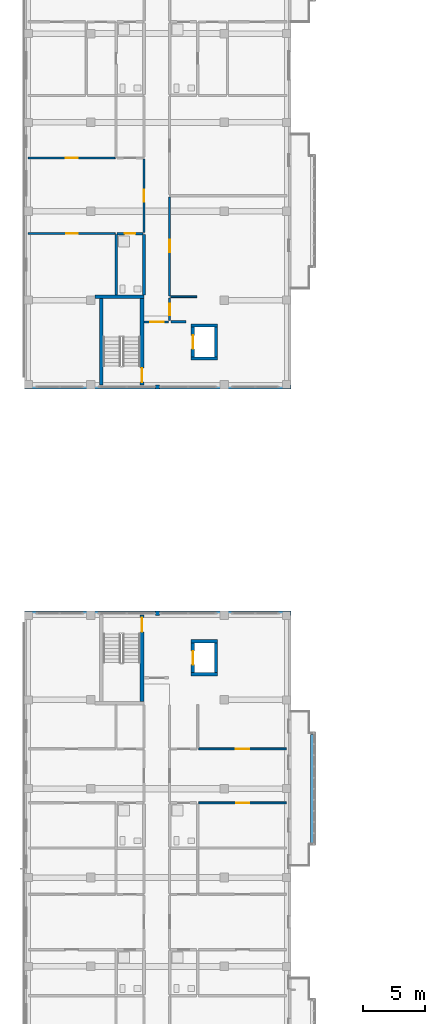
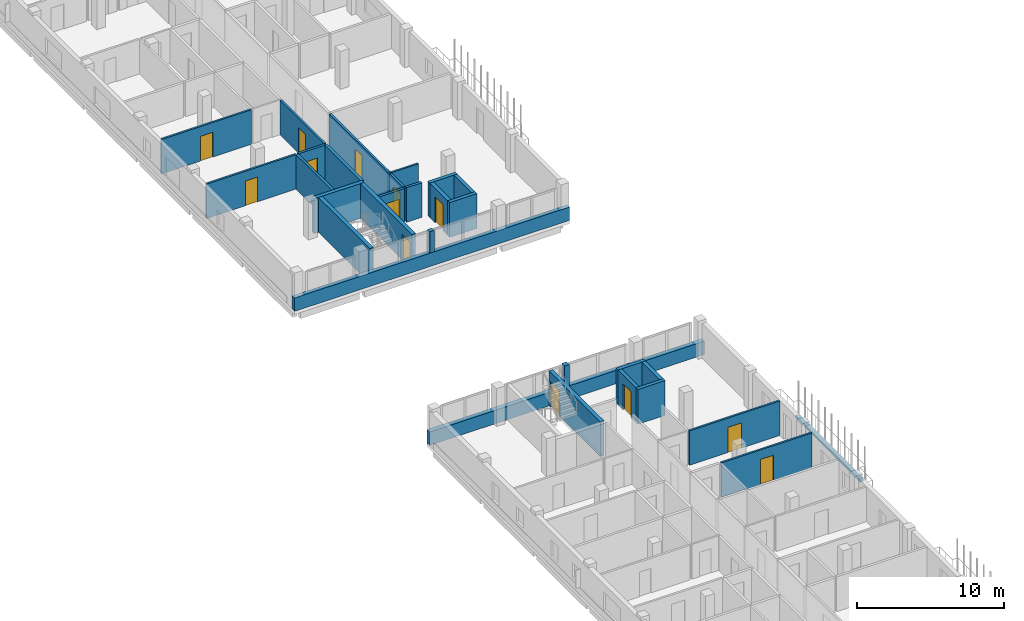
# One storey, part 27 of 51: 30 walls, 13 doors, 13 openings.
"""IFC4 building model written with IfcOpenShell, lengths in metres."""

from ifc_helpers import new_model, si_unit, derived_unit, direction, frame, frame_2d, origin, place, context, subcontext, project, spatial, rectangle, extrude, material, layer, layer_set, type_object, element, fill, save


model = new_model("IFC4")

# Units and contexts
model_context = context("Model", 3, precision=1e-05, world=origin(), true_north=direction((0.0, 1.0)))
body_context = subcontext(model_context, "Body", "Model", "MODEL_VIEW")
ifc_project = project(units=[si_unit("LENGTHUNIT", "METRE"), si_unit("AREAUNIT", "SQUARE_METRE"), si_unit("VOLUMEUNIT", "CUBIC_METRE"), si_unit("PLANEANGLEUNIT", "RADIAN"), si_unit("MASSUNIT", "GRAM", prefix="KILO"), derived_unit("THERMALTRANSMITTANCEUNIT", [(si_unit("MASSUNIT", "GRAM", prefix="KILO"), 1), (si_unit("TIMEUNIT", "SECOND"), -3), (si_unit("THERMODYNAMICTEMPERATUREUNIT", "KELVIN"), -1)])], contexts=[model_context])

# Site, building, storey
site_placement = place(None, origin())
site = spatial("IfcSite", under=ifc_project, at=site_placement, CompositionType="ELEMENT")
building_placement = place(site_placement, origin())
building = spatial("IfcBuilding", under=site, at=building_placement, Name="Ochrekiln Boulevard Commons", CompositionType="ELEMENT")
storey_placement = place(building_placement, frame((0.0, 0.0, 18.375)))
storey = spatial("IfcBuildingStorey", under=building, at=storey_placement, Name="L05", CompositionType="ELEMENT", Elevation=18.375)

# Walls
ifc_material_1 = material(Name="Iron-spot brown clinker brick masonry ASTM C216 Grade SW", Category="masonry")
ifc_layer_1 = layer(ifc_material_1, 0.364990234375)
ifc_layer_set_1 = layer_set([ifc_layer_1], Name="Iron-spot brown clinker brick masonry ASTM C216 Grade SW")
wall_type_1 = type_object("IfcWallType", Name="WL-EXT-IRON-365", PredefinedType="SOLIDWALL", material=ifc_layer_set_1)
wall_1_placement = place(storey_placement, frame((0.0, 50.217529296875, 0.0), z_axis=(0.0, 0.0, 1.0), x_axis=(1.0, 0.0, 0.0)))
element("IfcWall", 1, at=wall_1_placement, inside=storey, type_object=wall_type_1, Name="Block D L05 Courtyard Gable Sill Wall", PredefinedType="SOLIDWALL", context=body_context, shape_type="SweptSolid", body=[
    extrude(rectangle(XDim=21.60009765625, YDim=0.364990234375, at=frame_2d((10.800048828125, 0.0))), origin(), (0.0, 0.0, 1.0), 1.110107421875),
])
wall_2_placement = place(storey_placement, frame((10.6201171875, 50.217529296875, 1.110107421875), z_axis=(0.0, 0.0, 1.0), x_axis=(1.0, 0.0, 0.0)))
element("IfcWall", 2, at=wall_2_placement, inside=storey, type_object=wall_type_1, Name="Block D L05 Courtyard Gable Mullion Pier", PredefinedType="SOLIDWALL", context=body_context, shape_type="SweptSolid", body=[
    extrude(rectangle(XDim=0.35986328125, YDim=0.364990234375, at=frame_2d((0.179931640625, 0.0))), origin(), (0.0, 0.0, 1.0), 1.77978515625),
])
ifc_material_2 = material(Name="Desert ochre clinker brick masonry ASTM C216 Grade SW", Category="masonry")
ifc_layer_2 = layer(ifc_material_2, 0.320068359375)
ifc_layer_set_2 = layer_set([ifc_layer_2], Name="Desert ochre clinker brick masonry ASTM C216 Grade SW")
wall_type_2 = type_object("IfcWallType", Name="WL-EXT-OCHRE-320", PredefinedType="SOLIDWALL", material=ifc_layer_set_2)
wall_3_placement = place(storey_placement, frame((0.0, 68.56005859375, 0.0), z_axis=(0.0, 0.0, 1.0), x_axis=(1.0, 0.0, 0.0)))
element("IfcWall", 3, at=wall_3_placement, inside=storey, type_object=wall_type_2, Name="Block A L05 Courtyard Gable Sill Wall", PredefinedType="SOLIDWALL", context=body_context, shape_type="SweptSolid", body=[
    extrude(rectangle(XDim=21.60009765625, YDim=0.320068359375, at=frame_2d((10.800048828125, 0.0))), origin(), (0.0, 0.0, 1.0), 1.110107421875),
])
wall_4_placement = place(storey_placement, frame((10.6201171875, 68.56005859375, 1.110107421875), z_axis=(0.0, 0.0, 1.0), x_axis=(1.0, 0.0, 0.0)))
element("IfcWall", 4, at=wall_4_placement, inside=storey, type_object=wall_type_2, Name="Block A L05 Courtyard Gable Mullion Pier", PredefinedType="SOLIDWALL", context=body_context, shape_type="SweptSolid", body=[
    extrude(rectangle(XDim=0.35986328125, YDim=0.320068359375, at=frame_2d((0.179931640625, 0.0))), origin(), (0.0, 0.0, 1.0), 1.77978515625),
])

# Wall, opening, door
ifc_material_3 = material(Name="Moisture-resistant cementitious tile backer wall")
ifc_layer_3 = layer(ifc_material_3, 0.199951171875)
ifc_layer_set_3 = layer_set([ifc_layer_3], Name="Moisture-resistant cementitious tile backer wall")
wall_type_3 = type_object("IfcWallType", Name="WL-PLM-200", PredefinedType="PLUMBINGWALL", material=ifc_layer_set_3)
wall_5_placement = place(storey_placement, frame((7.52001953125, 80.991943359375, 0.0), z_axis=(0.0, 0.0, 1.0), x_axis=(1.0, 0.0, 0.0)))
wall_5 = element("IfcWall", 5, at=wall_5_placement, inside=storey, type_object=wall_type_3, Name="L05 Interior Wall W-PW200", PredefinedType="PLUMBINGWALL", context=body_context, shape_type="SweptSolid", body=[
    extrude(rectangle(XDim=2.10791015625, YDim=0.199951171875, at=frame_2d((1.053955078125, 0.0))), origin(), (0.0, 0.0, 1.0), 2.8701171875),
])
opening_1_placement = place(wall_5_placement, frame((0.6201171875, 0.0, 0.0)))
opening_1 = element("IfcOpeningElement", 6, at=opening_1_placement, cuts=wall_5, Name="Opening D-L05-685", PredefinedType="OPENING", context=body_context, shape_type="SweptSolid", body=[
    extrude(rectangle(XDim=0.860107421875, YDim=2.0, at=frame_2d((0.43017578125, 1.0))), frame((0.0, 0.10986328125, 0.0), z_axis=(0.0, -1.0, 0.0), x_axis=(1.0, 0.0, 0.0)), (0.0, 0.0, 1.0), 0.219970703125),
])
ifc_material_4 = material(Name="Solid core architectural oak door leaf")
door_type_1 = type_object("IfcDoorType", Name="DR-INT-BTH-086", OperationType="NOTDEFINED", PredefinedType="DOOR", material=ifc_material_4)
door_1_placement = place(opening_1_placement, frame((0.860107421875, 0.0, 0.0), z_axis=(0.0, 0.0, 1.0), x_axis=(-1.0, 0.0, 0.0)))
door_1 = element("IfcDoor", 7, at=door_1_placement, inside=storey, type_object=door_type_1, Name="L05 Interior Door to Accessible Apartment Bathroom", OperationType="SINGLE_SWING_LEFT", OverallHeight=2.0, OverallWidth=0.860107421875, PredefinedType="DOOR", context=body_context, shape_type="SweptSolid", body=[
    extrude(rectangle(XDim=0.860107421875, YDim=2.0, at=frame_2d((0.43017578125, 1.0))), frame((0.0, 0.02490234375, 0.0), z_axis=(0.0, -1.0, 0.0), x_axis=(1.0, 0.0, 0.0)), (0.0, 0.0, 1.0), 0.050048828125),
])
fill(opening_1, door_1)

# Walls
wall_6_placement = place(storey_placement, frame((7.43994140625, 76.0, 0.0), z_axis=(0.0, 0.0, 1.0), x_axis=(0.0, 1.0, 0.0)))
element("IfcWall", 8, at=wall_6_placement, inside=storey, type_object=wall_type_3, Name="L05 Interior Wall W-PW200", PredefinedType="PLUMBINGWALL", context=body_context, shape_type="SweptSolid", body=[
    extrude(rectangle(XDim=4.912109375, YDim=0.199951171875, at=frame_2d((2.4560546875, 0.0))), origin(), (0.0, 0.0, 1.0), 2.8701171875),
])
ifc_layer_4 = layer(ifc_material_3, 0.219970703125)
ifc_layer_set_4 = layer_set([ifc_layer_4], Name="Moisture-resistant cementitious tile backer wall")
wall_type_4 = type_object("IfcWallType", Name="WL-PLM-220", PredefinedType="PLUMBINGWALL", material=ifc_layer_set_4)
wall_7_placement = place(storey_placement, frame((9.7099609375, 76.0, 0.0), z_axis=(0.0, 0.0, 1.0), x_axis=(0.0, 1.0, 0.0)))
element("IfcWall", 9, at=wall_7_placement, inside=storey, type_object=wall_type_4, Name="L05 Interior Wall W-PW220", PredefinedType="PLUMBINGWALL", context=body_context, shape_type="SweptSolid", body=[
    extrude(rectangle(XDim=4.912109375, YDim=0.219970703125, at=frame_2d((2.4560546875, 0.0))), origin(), (0.0, 0.0, 1.0), 2.8701171875),
])
ifc_material_5 = material(Name="Glazed architectural terracotta ASTM C1405", Category="masonry")
ifc_layer_5 = layer(ifc_material_5, 0.25)
ifc_layer_set_5 = layer_set([ifc_layer_5], Name="Glazed architectural terracotta ASTM C1405")
wall_type_5 = type_object("IfcWallType", Name="WL-PLN-250", PredefinedType="PARAPET", material=ifc_layer_set_5)
wall_8_placement = place(storey_placement, frame((23.320068359375, 31.610107421875, 0.0), z_axis=(0.0, 0.0, 1.0), x_axis=(0.0, 1.0, 0.0)))
element("IfcWall", 10, at=wall_8_placement, inside=storey, type_object=wall_type_5, Name="Block D L05 Balcony Terracotta Planter Box 2", PredefinedType="PARAPET", context=body_context, shape_type="SweptSolid", body=[
    extrude(rectangle(XDim=8.77978515625, YDim=0.25, at=frame_2d((4.389892578125, 0.0))), origin(), (0.0, 0.0, 1.0), 0.22998046875),
])
ifc_material_6 = material(Name="Fire-rated Type X gypsum board on steel studs", Category="steel")
ifc_layer_6 = layer(ifc_material_6, 0.139892578125)
ifc_layer_set_6 = layer_set([ifc_layer_6], Name="Fire-rated Type X gypsum board on steel studs")
wall_type_6 = type_object("IfcWallType", Name="WL-PT-ACO-140", PredefinedType="PARTITIONING", material=ifc_layer_set_6)
wall_9_placement = place(storey_placement, frame((11.8720703125, 75.875, 0.0), z_axis=(0.0, 0.0, 1.0), x_axis=(1.0, 0.0, 0.0)))
element("IfcWall", 11, at=wall_9_placement, inside=storey, type_object=wall_type_6, Name="L05 Interior Wall W-PA140", PredefinedType="PARTITIONING", context=body_context, shape_type="SweptSolid", body=[
    extrude(rectangle(XDim=2.1279296875, YDim=0.139892578125, at=frame_2d((1.06396484375, 0.0))), origin(), (0.0, 0.0, 1.0), 2.8701171875),
])

# Wall, opening, door
ifc_layer_7 = layer(ifc_material_6, 0.1650390625)
ifc_layer_set_7 = layer_set([ifc_layer_7], Name="Fire-rated Type X gypsum board on steel studs")
wall_type_7 = type_object("IfcWallType", Name="WL-PT-CORR-165", PredefinedType="PARTITIONING", material=ifc_layer_set_7)
wall_10_placement = place(storey_placement, frame((11.7900390625, 73.929931640625, 0.0), z_axis=(0.0, 0.0, 1.0), x_axis=(0.0, 1.0, 0.0)))
wall_10 = element("IfcWall", 12, at=wall_10_placement, inside=storey, type_object=wall_type_7, Name="L05 Interior Wall W-PC165", PredefinedType="PARTITIONING", context=body_context, shape_type="SweptSolid", body=[
    extrude(rectangle(XDim=1.820068359375, YDim=0.1650390625, at=frame_2d((0.91015625, 0.0))), origin(), (0.0, 0.0, 1.0), 2.8701171875),
])
opening_2_placement = place(wall_10_placement, frame((0.4599609375, 0.0, 0.0)))
opening_2 = element("IfcOpeningElement", 13, at=opening_2_placement, cuts=wall_10, Name="Opening D-L05-679", PredefinedType="OPENING", context=body_context, shape_type="SweptSolid", body=[
    extrude(rectangle(XDim=0.919921875, YDim=2.0400390625, at=frame_2d((0.4599609375, 1.02001953125))), frame((0.0, 0.092529296875, 0.0), z_axis=(0.0, -1.0, 0.0), x_axis=(1.0, 0.0, 0.0)), (0.0, 0.0, 1.0), 0.18505859375),
])
ifc_material_7 = material(Name="Hollow metal fire-rated steel door assembly", Category="steel")
door_type_2 = type_object("IfcDoorType", Name="DR-SRV-90", OperationType="NOTDEFINED", PredefinedType="DOOR", material=ifc_material_7)
door_2_placement = place(opening_2_placement, frame((0.919921875, 0.0, 0.0), z_axis=(0.0, 0.0, 1.0), x_axis=(-1.0, 0.0, 0.0)))
door_2 = element("IfcDoor", 14, at=door_2_placement, inside=storey, type_object=door_type_2, Name="L05 Interior Door to Hydronic and Electrical Riser Room", OperationType="SINGLE_SWING_LEFT", OverallHeight=2.0400390625, OverallWidth=0.919921875, PredefinedType="DOOR", context=body_context, shape_type="SweptSolid", body=[
    extrude(rectangle(XDim=0.919921875, YDim=2.0400390625, at=frame_2d((0.4599609375, 1.02001953125))), frame((0.0, 0.02490234375, 0.0), z_axis=(0.0, -1.0, 0.0), x_axis=(1.0, 0.0, 0.0)), (0.0, 0.0, 1.0), 0.050048828125),
])
fill(opening_2, door_2)

wall_11_placement = place(storey_placement, frame((9.7099609375, 81.072021484375, 0.0), z_axis=(0.0, 0.0, 1.0), x_axis=(0.0, 1.0, 0.0)))
wall_11 = element("IfcWall", 15, at=wall_11_placement, inside=storey, type_object=wall_type_7, Name="L05 Interior Wall W-PC165", PredefinedType="PARTITIONING", context=body_context, shape_type="SweptSolid", body=[
    extrude(rectangle(XDim=5.9580078125, YDim=0.1650390625, at=frame_2d((2.97900390625, 0.0))), origin(), (0.0, 0.0, 1.0), 2.8701171875),
])
opening_3_placement = place(wall_11_placement, frame((2.489013671875, 0.0, 0.0)))
opening_3 = element("IfcOpeningElement", 16, at=opening_3_placement, cuts=wall_11, Name="Opening D-L05-680", PredefinedType="OPENING", context=body_context, shape_type="SweptSolid", body=[
    extrude(rectangle(XDim=0.97998046875, YDim=2.080078125, at=frame_2d((0.489990234375, 1.0400390625))), frame((0.0, 0.092529296875, 0.0), z_axis=(0.0, -1.0, 0.0), x_axis=(1.0, 0.0, 0.0)), (0.0, 0.0, 1.0), 0.18505859375),
])
door_type_3 = type_object("IfcDoorType", Name="DR-APT-60", OperationType="NOTDEFINED", PredefinedType="DOOR", material=ifc_material_4)
door_3_placement = place(opening_3_placement, origin())
door_3 = element("IfcDoor", 17, at=door_3_placement, inside=storey, type_object=door_type_3, Name="L05 Interior Door to Two-Bedroom Apartment Living Room", OperationType="SINGLE_SWING_RIGHT", OverallHeight=2.080078125, OverallWidth=0.97998046875, PredefinedType="DOOR", context=body_context, shape_type="SweptSolid", body=[
    extrude(rectangle(XDim=0.97998046875, YDim=2.080078125, at=frame_2d((0.489990234375, 1.0400390625))), frame((0.0, 0.02490234375, 0.0), z_axis=(0.0, -1.0, 0.0), x_axis=(1.0, 0.0, 0.0)), (0.0, 0.0, 1.0), 0.050048828125),
])
fill(opening_3, door_3)

wall_12_placement = place(storey_placement, frame((11.7900390625, 75.945068359375, 0.0), z_axis=(0.0, 0.0, 1.0), x_axis=(0.0, 1.0, 0.0)))
wall_12 = element("IfcWall", 18, at=wall_12_placement, inside=storey, type_object=wall_type_7, Name="L05 Interior Wall W-PC165", PredefinedType="PARTITIONING", context=body_context, shape_type="SweptSolid", body=[
    extrude(rectangle(XDim=8.015869140625, YDim=0.1650390625, at=frame_2d((4.0078125, 0.0))), origin(), (0.0, 0.0, 1.0), 2.8701171875),
])
opening_4_placement = place(wall_12_placement, frame((3.5458984375, 0.0, 0.0)))
opening_4 = element("IfcOpeningElement", 19, at=opening_4_placement, cuts=wall_12, Name="Opening D-L05-682", PredefinedType="OPENING", context=body_context, shape_type="SweptSolid", body=[
    extrude(rectangle(XDim=0.97998046875, YDim=2.080078125, at=frame_2d((0.489990234375, 1.0400390625))), frame((0.0, 0.092529296875, 0.0), z_axis=(0.0, -1.0, 0.0), x_axis=(1.0, 0.0, 0.0)), (0.0, 0.0, 1.0), 0.18505859375),
])
door_4_placement = place(opening_4_placement, frame((0.97998046875, 0.0, 0.0), z_axis=(0.0, 0.0, 1.0), x_axis=(-1.0, 0.0, 0.0)))
door_4 = element("IfcDoor", 20, at=door_4_placement, inside=storey, type_object=door_type_3, Name="L05 Interior Door to Resident Study Lounge", OperationType="SINGLE_SWING_RIGHT", OverallHeight=2.080078125, OverallWidth=0.97998046875, PredefinedType="DOOR", context=body_context, shape_type="SweptSolid", body=[
    extrude(rectangle(XDim=0.97998046875, YDim=2.080078125, at=frame_2d((0.489990234375, 1.0400390625))), frame((0.0, 0.02490234375, 0.0), z_axis=(0.0, -1.0, 0.0), x_axis=(1.0, 0.0, 0.0)), (0.0, 0.0, 1.0), 0.050048828125),
])
fill(opening_4, door_4)

# Wall
ifc_layer_8 = layer(ifc_material_6, 0.18994140625)
ifc_layer_set_8 = layer_set([ifc_layer_8], Name="Fire-rated Type X gypsum board on steel studs")
wall_type_8 = type_object("IfcWallType", Name="WL-PT-LBY-190", PredefinedType="PARTITIONING", material=ifc_layer_set_8)
wall_13_placement = place(storey_placement, frame((11.8798828125, 73.8349609375, 0.0), z_axis=(0.0, 0.0, 1.0), x_axis=(1.0, 0.0, 0.0)))
element("IfcWall", 21, at=wall_13_placement, inside=storey, type_object=wall_type_8, Name="L05 Interior Wall W-PL190", PredefinedType="PARTITIONING", context=body_context, shape_type="SweptSolid", body=[
    extrude(rectangle(XDim=1.22021484375, YDim=0.18994140625, at=frame_2d((0.610107421875, 0.0))), origin(), (0.0, 0.0, 1.0), 2.8701171875),
])

# Wall, opening, door
wall_14_placement = place(storey_placement, frame((9.699951171875, 73.820068359375, 0.0), z_axis=(0.0, 0.0, 1.0), x_axis=(1.0, 0.0, 0.0)))
wall_14 = element("IfcWall", 22, at=wall_14_placement, inside=storey, type_object=wall_type_8, Name="L05 Interior Wall W-PL190", PredefinedType="PARTITIONING", context=body_context, shape_type="SweptSolid", body=[
    extrude(rectangle(XDim=2.0, YDim=0.18994140625, at=frame_2d((1.0, 0.0))), origin(), (0.0, 0.0, 1.0), 2.8701171875),
])
opening_5_placement = place(wall_14_placement, frame((0.5, 0.0, 0.0)))
opening_5 = element("IfcOpeningElement", 23, at=opening_5_placement, cuts=wall_14, Name="Opening D-L05-677", PredefinedType="OPENING", context=body_context, shape_type="SweptSolid", body=[
    extrude(rectangle(XDim=1.10009765625, YDim=2.1201171875, at=frame_2d((0.550048828125, 1.06005859375))), frame((0.0, 0.10498046875, 0.0), z_axis=(0.0, -1.0, 0.0), x_axis=(1.0, 0.0, 0.0)), (0.0, 0.0, 1.0), 0.2099609375),
])
door_type_4 = type_object("IfcDoorType", Name="DR-LOBBY-60", OperationType="NOTDEFINED", PredefinedType="DOOR", material=ifc_material_7)
door_5_placement = place(opening_5_placement, frame((1.10009765625, 0.0, 0.0), z_axis=(0.0, 0.0, 1.0), x_axis=(-1.0, 0.0, 0.0)))
door_5 = element("IfcDoor", 24, at=door_5_placement, inside=storey, type_object=door_type_4, Name="L05 Interior Door to Fire Service Access Elevator Lobby", OperationType="SINGLE_SWING_LEFT", OverallHeight=2.1201171875, OverallWidth=1.10009765625, PredefinedType="DOOR", context=body_context, shape_type="SweptSolid", body=[
    extrude(rectangle(XDim=1.10009765625, YDim=2.1201171875, at=frame_2d((0.550048828125, 1.06005859375))), frame((0.0, 0.02490234375, 0.0), z_axis=(0.0, -1.0, 0.0), x_axis=(1.0, 0.0, 0.0)), (0.0, 0.0, 1.0), 0.050048828125),
])
fill(opening_5, door_5)

ifc_layer_9 = layer(ifc_material_6, 0.14990234375)
ifc_layer_set_9 = layer_set([ifc_layer_9], Name="Fire-rated Type X gypsum board on steel studs")
wall_type_9 = type_object("IfcWallType", Name="WL-PT-STD-150", PredefinedType="PARTITIONING", material=ifc_layer_set_9)
wall_15_placement = place(storey_placement, frame((0.320068359375, 80.991943359375, 0.0), z_axis=(0.0, 0.0, 1.0), x_axis=(1.0, 0.0, 0.0)))
wall_15 = element("IfcWall", 25, at=wall_15_placement, inside=storey, type_object=wall_type_9, Name="L05 Interior Wall W-PS150", PredefinedType="PARTITIONING", context=body_context, shape_type="SweptSolid", body=[
    extrude(rectangle(XDim=7.0400390625, YDim=0.14990234375, at=frame_2d((3.52001953125, 0.0))), origin(), (0.0, 0.0, 1.0), 2.8701171875),
])
opening_6_placement = place(wall_15_placement, frame((3.06494140625, 0.0, 0.0)))
opening_6 = element("IfcOpeningElement", 26, at=opening_6_placement, cuts=wall_15, Name="Opening D-L05-687", PredefinedType="OPENING", context=body_context, shape_type="SweptSolid", body=[
    extrude(rectangle(XDim=0.93994140625, YDim=2.06005859375, at=frame_2d((0.469970703125, 1.030029296875))), frame((0.0, 0.0849609375, 0.0), z_axis=(0.0, -1.0, 0.0), x_axis=(1.0, 0.0, 0.0)), (0.0, 0.0, 1.0), 0.169921875),
])
door_type_5 = type_object("IfcDoorType", Name="DR-INT-BED-094", OperationType="NOTDEFINED", PredefinedType="DOOR", material=ifc_material_4)
door_6_placement = place(opening_6_placement, frame((0.93994140625, 0.0, 0.0), z_axis=(0.0, 0.0, 1.0), x_axis=(-1.0, 0.0, 0.0)))
door_6 = element("IfcDoor", 27, at=door_6_placement, inside=storey, type_object=door_type_5, Name="L05 Interior Door to Primary Apartment Bedroom", OperationType="SINGLE_SWING_LEFT", OverallHeight=2.06005859375, OverallWidth=0.93994140625, PredefinedType="DOOR", context=body_context, shape_type="SweptSolid", body=[
    extrude(rectangle(XDim=0.93994140625, YDim=2.06005859375, at=frame_2d((0.469970703125, 1.030029296875))), frame((0.0, 0.02490234375, 0.0), z_axis=(0.0, -1.0, 0.0), x_axis=(1.0, 0.0, 0.0)), (0.0, 0.0, 1.0), 0.050048828125),
])
fill(opening_6, door_6)

wall_16_placement = place(storey_placement, frame((0.320068359375, 87.110107421875, 0.0), z_axis=(0.0, 0.0, 1.0), x_axis=(1.0, 0.0, 0.0)))
wall_16 = element("IfcWall", 28, at=wall_16_placement, inside=storey, type_object=wall_type_9, Name="L05 Interior Wall W-PS150", PredefinedType="PARTITIONING", context=body_context, shape_type="SweptSolid", body=[
    extrude(rectangle(XDim=7.0400390625, YDim=0.14990234375, at=frame_2d((3.52001953125, 0.0))), origin(), (0.0, 0.0, 1.0), 2.8701171875),
])
opening_7_placement = place(wall_16_placement, frame((3.034912109375, 0.0, 0.0)))
opening_7 = element("IfcOpeningElement", 29, at=opening_7_placement, cuts=wall_16, Name="Opening D-L05-688", PredefinedType="OPENING", context=body_context, shape_type="SweptSolid", body=[
    extrude(rectangle(XDim=1.0, YDim=2.06005859375, at=frame_2d((0.5, 1.030029296875))), frame((0.0, 0.0849609375, 0.0), z_axis=(0.0, -1.0, 0.0), x_axis=(1.0, 0.0, 0.0)), (0.0, 0.0, 1.0), 0.169921875),
])
door_type_6 = type_object("IfcDoorType", Name="DR-INT-BED-100", OperationType="NOTDEFINED", PredefinedType="DOOR", material=ifc_material_4)
door_7_placement = place(opening_7_placement, origin())
door_7 = element("IfcDoor", 30, at=door_7_placement, inside=storey, type_object=door_type_6, Name="L05 Interior Door to Secondary Apartment Bedroom", OperationType="SINGLE_SWING_RIGHT", OverallHeight=2.06005859375, OverallWidth=1.0, PredefinedType="DOOR", context=body_context, shape_type="SweptSolid", body=[
    extrude(rectangle(XDim=1.0, YDim=2.06005859375, at=frame_2d((0.5, 1.030029296875))), frame((0.0, 0.02490234375, 0.0), z_axis=(0.0, -1.0, 0.0), x_axis=(1.0, 0.0, 0.0)), (0.0, 0.0, 1.0), 0.050048828125),
])
fill(opening_7, door_7)

wall_17_placement = place(storey_placement, frame((14.139892578125, 34.846923828125, 0.0), z_axis=(0.0, 0.0, 1.0), x_axis=(1.0, 0.0, 0.0)))
wall_17 = element("IfcWall", 31, at=wall_17_placement, inside=storey, type_object=wall_type_9, Name="L05 Interior Wall W-PS150", PredefinedType="PARTITIONING", context=body_context, shape_type="SweptSolid", body=[
    extrude(rectangle(XDim=7.110107421875, YDim=0.14990234375, at=frame_2d((3.55517578125, 0.0))), origin(), (0.0, 0.0, 1.0), 2.8701171875),
])
opening_8_placement = place(wall_17_placement, frame((3.034912109375, 0.0, 0.0)))
opening_8 = element("IfcOpeningElement", 32, at=opening_8_placement, cuts=wall_17, Name="Opening D-L05-780", PredefinedType="OPENING", context=body_context, shape_type="SweptSolid", body=[
    extrude(rectangle(XDim=1.0400390625, YDim=2.080078125, at=frame_2d((0.52001953125, 1.0400390625))), frame((0.0, 0.0849609375, 0.0), z_axis=(0.0, -1.0, 0.0), x_axis=(1.0, 0.0, 0.0)), (0.0, 0.0, 1.0), 0.169921875),
])
door_type_7 = type_object("IfcDoorType", Name="DR-INT-BED-104", OperationType="NOTDEFINED", PredefinedType="DOOR", material=ifc_material_4)
door_8_placement = place(opening_8_placement, frame((1.0400390625, 0.0, 0.0), z_axis=(0.0, 0.0, 1.0), x_axis=(-1.0, 0.0, 0.0)))
door_8 = element("IfcDoor", 33, at=door_8_placement, inside=storey, type_object=door_type_7, Name="L05 Interior Door to Primary Apartment Bedroom", OperationType="SINGLE_SWING_RIGHT", OverallHeight=2.080078125, OverallWidth=1.0400390625, PredefinedType="DOOR", context=body_context, shape_type="SweptSolid", body=[
    extrude(rectangle(XDim=1.0400390625, YDim=2.080078125, at=frame_2d((0.52001953125, 1.0400390625))), frame((0.0, 0.02490234375, 0.0), z_axis=(0.0, -1.0, 0.0), x_axis=(1.0, 0.0, 0.0)), (0.0, 0.0, 1.0), 0.050048828125),
])
fill(opening_8, door_8)

wall_18_placement = place(storey_placement, frame((14.139892578125, 39.22705078125, 0.0), z_axis=(0.0, 0.0, 1.0), x_axis=(1.0, 0.0, 0.0)))
wall_18 = element("IfcWall", 34, at=wall_18_placement, inside=storey, type_object=wall_type_9, Name="L05 Interior Wall W-PS150", PredefinedType="PARTITIONING", context=body_context, shape_type="SweptSolid", body=[
    extrude(rectangle(XDim=7.110107421875, YDim=0.14990234375, at=frame_2d((3.55517578125, 0.0))), origin(), (0.0, 0.0, 1.0), 2.8701171875),
])
opening_9_placement = place(wall_18_placement, frame((3.014892578125, 0.0, 0.0)))
opening_9 = element("IfcOpeningElement", 35, at=opening_9_placement, cuts=wall_18, Name="Opening D-L05-781", PredefinedType="OPENING", context=body_context, shape_type="SweptSolid", body=[
    extrude(rectangle(XDim=1.080078125, YDim=2.10009765625, at=frame_2d((0.5400390625, 1.050048828125))), frame((0.0, 0.0849609375, 0.0), z_axis=(0.0, -1.0, 0.0), x_axis=(1.0, 0.0, 0.0)), (0.0, 0.0, 1.0), 0.169921875),
])
door_type_8 = type_object("IfcDoorType", Name="DR-INT-BED-108", OperationType="NOTDEFINED", PredefinedType="DOOR", material=ifc_material_4)
door_9_placement = place(opening_9_placement, origin())
door_9 = element("IfcDoor", 36, at=door_9_placement, inside=storey, type_object=door_type_8, Name="L05 Interior Door to Secondary Apartment Bedroom", OperationType="SINGLE_SWING_LEFT", OverallHeight=2.10009765625, OverallWidth=1.080078125, PredefinedType="DOOR", context=body_context, shape_type="SweptSolid", body=[
    extrude(rectangle(XDim=1.080078125, YDim=2.10009765625, at=frame_2d((0.5400390625, 1.050048828125))), frame((0.0, 0.02490234375, 0.0), z_axis=(0.0, -1.0, 0.0), x_axis=(1.0, 0.0, 0.0)), (0.0, 0.0, 1.0), 0.050048828125),
])
fill(opening_9, door_9)

# Walls
ifc_material_8 = material(Name="Concrete C40/50", Category="concrete")
ifc_layer_10 = layer(ifc_material_8, 0.27490234375)
ifc_layer_set_10 = layer_set([ifc_layer_10], Name="Concrete C40/50")
wall_type_10 = type_object("IfcWallType", Name="WL-SH-275", PredefinedType="SHEAR", material=ifc_layer_set_10)
for number, where, z_axis, x_axis, name in (
    (37, (13.52490234375, 70.862548828125, 0.0), (0.0, 0.0, 1.0), (1.0, 0.0, 0.0), "Elevator FF-A1 L05 Hoistway Shear Wall"),
    (38, (13.52490234375, 73.53759765625, 0.0), (0.0, 0.0, 1.0), (1.0, 0.0, 0.0), "Elevator FF-A1 L05 Hoistway Shear Wall"),
):
    element("IfcWall", number, at=place(storey_placement, frame(where, z_axis=z_axis, x_axis=x_axis)), inside=storey, type_object=wall_type_10, Name=name, PredefinedType="SHEAR", context=body_context, shape_type="SweptSolid", body=[
        extrude(rectangle(XDim=2.150146484375, YDim=0.27490234375, at=frame_2d((1.0751953125, 0.0))), origin(), (0.0, 0.0, 1.0), 2.889892578125),
    ])

# Wall, opening, door
wall_19_placement = place(storey_placement, frame((13.66259765625, 71.0, 0.0), z_axis=(0.0, 0.0, 1.0), x_axis=(0.0, 1.0, 0.0)))
wall_19 = element("IfcWall", 39, at=wall_19_placement, inside=storey, type_object=wall_type_10, Name="Elevator FF-A1 L05 Hoistway Shear Wall", PredefinedType="SHEAR", context=body_context, shape_type="SweptSolid", body=[
    extrude(rectangle(XDim=2.39990234375, YDim=0.27490234375, at=frame_2d((1.199951171875, 0.0))), origin(), (0.0, 0.0, 1.0), 2.889892578125),
])
opening_10_placement = place(wall_19_placement, frame((0.64990234375, 0.0, 0.0)))
opening_10 = element("IfcOpeningElement", 40, at=opening_10_placement, cuts=wall_19, Name="Opening LD-FF-A1-L05", PredefinedType="OPENING", context=body_context, shape_type="SweptSolid", body=[
    extrude(rectangle(XDim=1.10009765625, YDim=2.14990234375, at=frame_2d((0.550048828125, 1.074951171875))), frame((0.0, 0.1474609375, 0.0), z_axis=(0.0, -1.0, 0.0), x_axis=(1.0, 0.0, 0.0)), (0.0, 0.0, 1.0), 0.294921875),
])
ifc_material_9 = material(Name="Brushed stainless steel 316 elevator cab and doors", Category="steel")
door_type_9 = type_object("IfcDoorType", Name="DR-LIFT-LD90", OperationType="SLIDING_TO_LEFT", PredefinedType="DOOR", material=ifc_material_9)
door_10_placement = place(opening_10_placement, origin())
door_10 = element("IfcDoor", 41, at=door_10_placement, inside=storey, type_object=door_type_9, Name="Elevator FF-A1 L05 Sliding Landing Door LD-FF-A1-L05", OperationType="SLIDING_TO_LEFT", OverallHeight=2.14990234375, OverallWidth=1.10009765625, PredefinedType="DOOR", context=body_context, shape_type="SweptSolid", body=[
    extrude(rectangle(XDim=1.10009765625, YDim=2.14990234375, at=frame_2d((0.550048828125, 1.074951171875))), frame((0.0, 0.02490234375, 0.0), z_axis=(0.0, -1.0, 0.0), x_axis=(1.0, 0.0, 0.0)), (0.0, 0.0, 1.0), 0.050048828125),
])
fill(opening_10, door_10)

# Walls
wall_20_placement = place(storey_placement, frame((15.53759765625, 71.0, 0.0), z_axis=(0.0, 0.0, 1.0), x_axis=(0.0, 1.0, 0.0)))
element("IfcWall", 42, at=wall_20_placement, inside=storey, type_object=wall_type_10, Name="Elevator FF-A1 L05 Hoistway Shear Wall", PredefinedType="SHEAR", context=body_context, shape_type="SweptSolid", body=[
    extrude(rectangle(XDim=2.39990234375, YDim=0.27490234375, at=frame_2d((1.199951171875, 0.0))), origin(), (0.0, 0.0, 1.0), 2.889892578125),
])
for number, where, z_axis, x_axis, name in (
    (43, (13.52490234375, 45.262451171875, 0.0), (0.0, 0.0, 1.0), (1.0, 0.0, 0.0), "Elevator LP-D2 L05 Hoistway Shear Wall"),
    (44, (13.52490234375, 47.9375, 0.0), (0.0, 0.0, 1.0), (1.0, 0.0, 0.0), "Elevator LP-D2 L05 Hoistway Shear Wall"),
):
    element("IfcWall", number, at=place(storey_placement, frame(where, z_axis=z_axis, x_axis=x_axis)), inside=storey, type_object=wall_type_10, Name=name, PredefinedType="SHEAR", context=body_context, shape_type="SweptSolid", body=[
        extrude(rectangle(XDim=2.150146484375, YDim=0.27490234375, at=frame_2d((1.0751953125, 0.0))), origin(), (0.0, 0.0, 1.0), 2.889892578125),
    ])

# Wall, opening, door
wall_21_placement = place(storey_placement, frame((13.66259765625, 45.39990234375, 0.0), z_axis=(0.0, 0.0, 1.0), x_axis=(0.0, 1.0, 0.0)))
wall_21 = element("IfcWall", 45, at=wall_21_placement, inside=storey, type_object=wall_type_10, Name="Elevator LP-D2 L05 Hoistway Shear Wall", PredefinedType="SHEAR", context=body_context, shape_type="SweptSolid", body=[
    extrude(rectangle(XDim=2.400146484375, YDim=0.27490234375, at=frame_2d((1.2001953125, 0.0))), origin(), (0.0, 0.0, 1.0), 2.889892578125),
])
opening_11_placement = place(wall_21_placement, frame((0.64990234375, 0.0, 0.0)))
opening_11 = element("IfcOpeningElement", 46, at=opening_11_placement, cuts=wall_21, Name="Opening LD-LP-D2-L05", PredefinedType="OPENING", context=body_context, shape_type="SweptSolid", body=[
    extrude(rectangle(XDim=1.10009765625, YDim=2.14990234375, at=frame_2d((0.550048828125, 1.074951171875))), frame((0.0, 0.1474609375, 0.0), z_axis=(0.0, -1.0, 0.0), x_axis=(1.0, 0.0, 0.0)), (0.0, 0.0, 1.0), 0.294921875),
])
door_11_placement = place(opening_11_placement, origin())
door_11 = element("IfcDoor", 47, at=door_11_placement, inside=storey, type_object=door_type_9, Name="Elevator LP-D2 L05 Sliding Landing Door LD-LP-D2-L05", OperationType="SLIDING_TO_LEFT", OverallHeight=2.14990234375, OverallWidth=1.10009765625, PredefinedType="DOOR", context=body_context, shape_type="SweptSolid", body=[
    extrude(rectangle(XDim=1.10009765625, YDim=2.14990234375, at=frame_2d((0.550048828125, 1.074951171875))), frame((0.0, 0.02490234375, 0.0), z_axis=(0.0, -1.0, 0.0), x_axis=(1.0, 0.0, 0.0)), (0.0, 0.0, 1.0), 0.050048828125),
])
fill(opening_11, door_11)

# Walls
wall_22_placement = place(storey_placement, frame((15.53759765625, 45.39990234375, 0.0), z_axis=(0.0, 0.0, 1.0), x_axis=(0.0, 1.0, 0.0)))
element("IfcWall", 48, at=wall_22_placement, inside=storey, type_object=wall_type_10, Name="Elevator LP-D2 L05 Hoistway Shear Wall", PredefinedType="SHEAR", context=body_context, shape_type="SweptSolid", body=[
    extrude(rectangle(XDim=2.400146484375, YDim=0.27490234375, at=frame_2d((1.2001953125, 0.0))), origin(), (0.0, 0.0, 1.0), 2.889892578125),
])
ifc_layer_11 = layer(ifc_material_8, 0.300048828125)
ifc_layer_set_11 = layer_set([ifc_layer_11], Name="Concrete C40/50")
wall_type_11 = type_object("IfcWallType", Name="WL-SH-300", PredefinedType="SHEAR", material=ifc_layer_set_11)
wall_23_placement = place(storey_placement, frame((5.75, 75.8701171875, 0.0), z_axis=(0.0, 0.0, 1.0), x_axis=(1.0, 0.0, 0.0)))
element("IfcWall", 49, at=wall_23_placement, inside=storey, type_object=wall_type_11, Name="Stair ST-A1 L05 Core Shear Wall N", PredefinedType="SHEAR", context=body_context, shape_type="SweptSolid", body=[
    extrude(rectangle(XDim=3.949951171875, YDim=0.300048828125, at=frame_2d((1.97509765625, 0.0))), origin(), (0.0, 0.0, 1.0), 2.889892578125),
])
wall_24_placement = place(storey_placement, frame((6.25, 68.719970703125, 0.0), z_axis=(0.0, 0.0, 1.0), x_axis=(0.0, 1.0, 0.0)))
element("IfcWall", 50, at=wall_24_placement, inside=storey, type_object=wall_type_11, Name="Stair ST-A1 L05 Core Shear Wall W", PredefinedType="SHEAR", context=body_context, shape_type="SweptSolid", body=[
    extrude(rectangle(XDim=7.0, YDim=0.300048828125, at=frame_2d((3.5, 0.0))), origin(), (0.0, 0.0, 1.0), 2.889892578125),
])

# Wall, opening, door
wall_25_placement = place(storey_placement, frame((9.550048828125, 68.719970703125, 0.0), z_axis=(0.0, 0.0, 1.0), x_axis=(0.0, 1.0, 0.0)))
wall_25 = element("IfcWall", 51, at=wall_25_placement, inside=storey, type_object=wall_type_11, Name="Stair ST-A1 L05 Core Shear Wall E", PredefinedType="SHEAR", context=body_context, shape_type="SweptSolid", body=[
    extrude(rectangle(XDim=7.0, YDim=0.300048828125, at=frame_2d((3.5, 0.0))), origin(), (0.0, 0.0, 1.0), 2.889892578125),
])
opening_12_placement = place(wall_25_placement, frame((0.22509765625, 0.0, 0.0)))
opening_12 = element("IfcOpeningElement", 52, at=opening_12_placement, cuts=wall_25, Name="Opening D-L05-ST-A1", PredefinedType="OPENING", context=body_context, shape_type="SweptSolid", body=[
    extrude(rectangle(XDim=1.14990234375, YDim=2.1201171875, at=frame_2d((0.574951171875, 1.06005859375))), frame((0.0, 0.159912109375, 0.0), z_axis=(0.0, -1.0, 0.0), x_axis=(1.0, 0.0, 0.0)), (0.0, 0.0, 1.0), 0.320068359375),
])
door_type_10 = type_object("IfcDoorType", Name="DR-STAIR-90", OperationType="NOTDEFINED", PredefinedType="DOOR", material=ifc_material_7)
door_12_placement = place(opening_12_placement, origin())
door_12 = element("IfcDoor", 53, at=door_12_placement, inside=storey, type_object=door_type_10, Name="Enclosed Exit Stair ST-A1 L05 Rated Door", OperationType="SINGLE_SWING_LEFT", OverallHeight=2.1201171875, OverallWidth=1.14990234375, PredefinedType="DOOR", context=body_context, shape_type="SweptSolid", body=[
    extrude(rectangle(XDim=1.14990234375, YDim=2.1201171875, at=frame_2d((0.574951171875, 1.06005859375))), frame((0.0, 0.02490234375, 0.0), z_axis=(0.0, -1.0, 0.0), x_axis=(1.0, 0.0, 0.0)), (0.0, 0.0, 1.0), 0.050048828125),
])
fill(opening_12, door_12)

wall_26_placement = place(storey_placement, frame((9.550048828125, 43.080078125, 0.0), z_axis=(0.0, 0.0, 1.0), x_axis=(0.0, 1.0, 0.0)))
wall_26 = element("IfcWall", 54, at=wall_26_placement, inside=storey, type_object=wall_type_11, Name="Stair ST-D2 L05 Core Shear Wall E", PredefinedType="SHEAR", context=body_context, shape_type="SweptSolid", body=[
    extrude(rectangle(XDim=7.0, YDim=0.300048828125, at=frame_2d((3.5, 0.0))), origin(), (0.0, 0.0, 1.0), 2.889892578125),
])
opening_13_placement = place(wall_26_placement, frame((5.625, 0.0, 0.0)))
opening_13 = element("IfcOpeningElement", 55, at=opening_13_placement, cuts=wall_26, Name="Opening D-L05-ST-D2", PredefinedType="OPENING", context=body_context, shape_type="SweptSolid", body=[
    extrude(rectangle(XDim=1.14990234375, YDim=2.1201171875, at=frame_2d((0.574951171875, 1.06005859375))), frame((0.0, 0.159912109375, 0.0), z_axis=(0.0, -1.0, 0.0), x_axis=(1.0, 0.0, 0.0)), (0.0, 0.0, 1.0), 0.320068359375),
])
door_13_placement = place(opening_13_placement, origin())
door_13 = element("IfcDoor", 56, at=door_13_placement, inside=storey, type_object=door_type_10, Name="Enclosed Exit Stair ST-D2 L05 Rated Door", OperationType="SINGLE_SWING_LEFT", OverallHeight=2.1201171875, OverallWidth=1.14990234375, PredefinedType="DOOR", context=body_context, shape_type="SweptSolid", body=[
    extrude(rectangle(XDim=1.14990234375, YDim=2.1201171875, at=frame_2d((0.574951171875, 1.06005859375))), frame((0.0, 0.02490234375, 0.0), z_axis=(0.0, -1.0, 0.0), x_axis=(1.0, 0.0, 0.0)), (0.0, 0.0, 1.0), 0.050048828125),
])
fill(opening_13, door_13)

save(model, "model.ifc")
